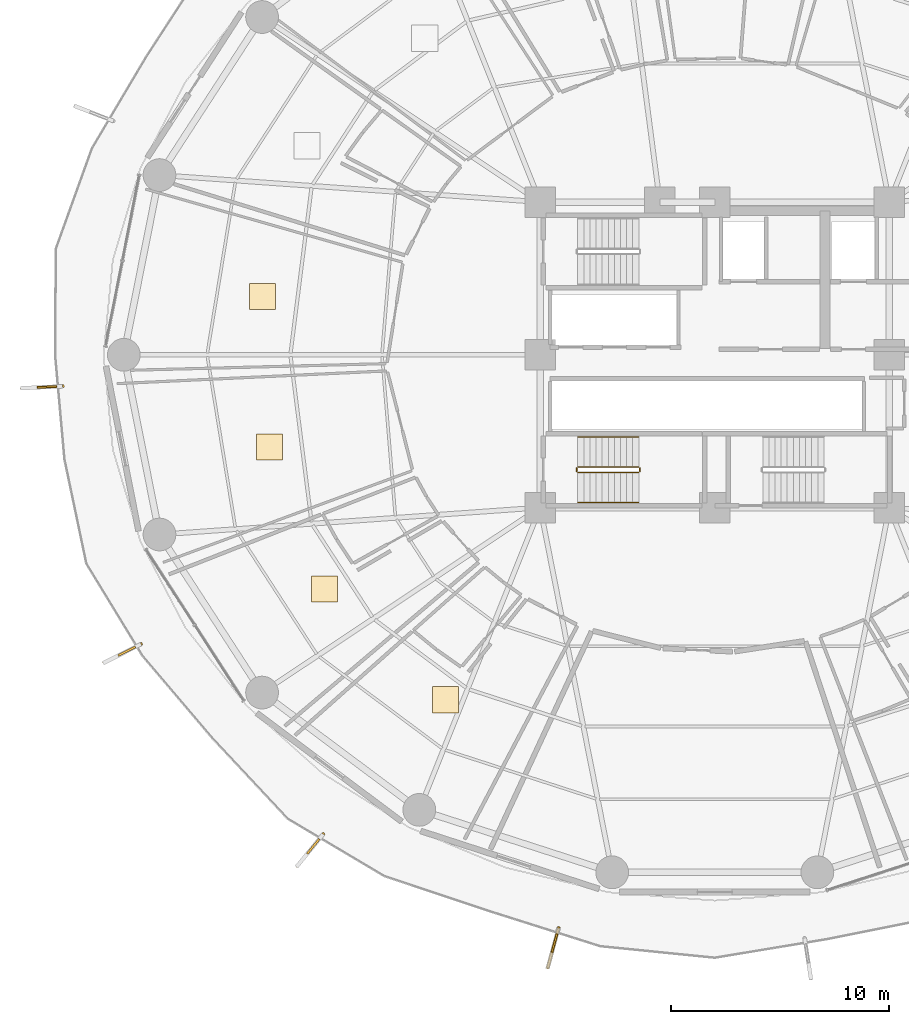
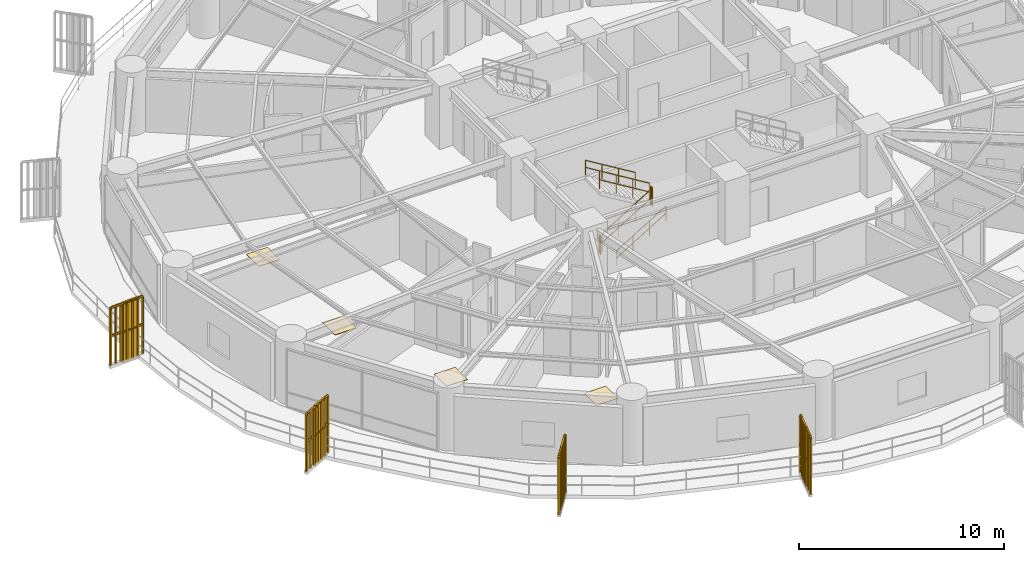
# One storey, part 29 of 33: 10 railings, 4 coverings, 4 shading devices.
"""IFC4 building model written with IfcOpenShell, lengths in metres."""

from ifc_helpers import new_model, si_unit, direction, frame, origin, origin_2d, place, context, subcontext, project, spatial, polyline, rectangle, outline, extrude, source, transform, mapped, material, layer, layer_set, type_object, element, save


model = new_model("IFC4")

# Units and contexts
model_context = context("Model", 3, precision=1e-05, world=origin(), true_north=direction((0.0, 1.0)))
body_context = subcontext(model_context, "Body", "Model", "MODEL_VIEW")
ifc_project = project(units=[si_unit("LENGTHUNIT", "METRE"), si_unit("AREAUNIT", "SQUARE_METRE"), si_unit("VOLUMEUNIT", "CUBIC_METRE"), si_unit("PLANEANGLEUNIT", "RADIAN"), si_unit("MASSUNIT", "GRAM", prefix="KILO")], contexts=[model_context])

# Site, building, storey
site_placement = place(None, origin())
site = spatial("IfcSite", under=ifc_project, at=site_placement, CompositionType="ELEMENT")
building_placement = place(site_placement, origin())
building = spatial("IfcBuilding", under=site, at=building_placement, Name="Kelanora Arch Commons", CompositionType="ELEMENT")
storey_placement = place(building_placement, frame((0.0, 0.0, 37.5)))
storey = spatial("IfcBuildingStorey", under=building, at=storey_placement, Name="L09", CompositionType="ELEMENT", Elevation=37.5)

# Railings
ifc_material_1 = material(Name="Anodised bronze vertical shading fin rib assembly")
railing_type_1 = type_object("IfcRailingType", Name="RAIL-FIN-BRZ", PredefinedType="BALUSTRADE", material=ifc_material_1)
railing_1_placement = place(storey_placement, frame((44.119873046875, 56.560546875, -0.02001953125)))
element("IfcRailing", 1, at=railing_1_placement, inside=storey, type_object=railing_type_1, Name="Sweeping Bronze Vertical Fin Blade L09-07", PredefinedType="BALUSTRADE", context=body_context, shape_type="SweptSolid", body=[
    extrude(outline(polyline([(0.06982421875, 0.0), (0.034912109375, 0.060546875), (-0.034912109375, 0.060546875), (-0.06982421875, 0.0), (-0.034912109375, -0.060546875), (0.034912109375, -0.060546875), (0.06982421875, 0.0)])), frame((0.0, 0.0, 3.419921875), z_axis=(-0.998844806382, -0.04805260413, 0.0), x_axis=(0.04805260413, -0.998844806382, 0.0)), (0.0, 0.0, 1.0), 1.8798828125),
    extrude(outline(polyline([(0.06982421875, 0.0), (0.034912109375, 0.060546875), (-0.034912109375, 0.060546875), (-0.06982421875, 0.0), (-0.034912109375, -0.060546875), (0.034912109375, -0.060546875), (0.06982421875, 0.0)])), frame((0.0, 0.0, 1.7451171875), z_axis=(-0.998844806382, -0.04805260413, 0.0), x_axis=(0.04805260413, -0.998844806382, 0.0)), (0.0, 0.0, 1.0), 1.8798828125),
    extrude(outline(polyline([(0.080078125, 0.0), (0.0400390625, 0.0693359375), (-0.0400390625, 0.0693359375), (-0.080078125, 0.0), (-0.0400390625, -0.0693359375), (0.0400390625, -0.0693359375), (0.080078125, 0.0)])), origin(), (0.0, 0.0, 1.0), 3.35009765625),
    extrude(outline(polyline([(0.080078125, 0.0), (0.0400390625, 0.0693359375), (-0.0400390625, 0.0693359375), (-0.080078125, 0.0), (-0.0400390625, -0.0693359375), (0.0400390625, -0.0693359375), (0.080078125, 0.0)])), frame((-0.31298828125, -0.01513671875, 0.0)), (0.0, 0.0, 1.0), 3.35009765625),
    extrude(outline(polyline([(0.080078125, 0.0), (0.0400390625, 0.0693359375), (-0.0400390625, 0.0693359375), (-0.080078125, 0.0), (-0.0400390625, -0.0693359375), (0.0400390625, -0.0693359375), (0.080078125, 0.0)])), frame((-0.6259765625, -0.030029296875, 0.0)), (0.0, 0.0, 1.0), 3.35009765625),
    extrude(outline(polyline([(0.080078125, 0.0), (0.0400390625, 0.0693359375), (-0.0400390625, 0.0693359375), (-0.080078125, 0.0), (-0.0400390625, -0.0693359375), (0.0400390625, -0.0693359375), (0.080078125, 0.0)])), frame((-0.93896484375, -0.045166015625, 0.0)), (0.0, 0.0, 1.0), 3.35009765625),
    extrude(outline(polyline([(0.080078125, 0.0), (0.0400390625, 0.0693359375), (-0.0400390625, 0.0693359375), (-0.080078125, 0.0), (-0.0400390625, -0.0693359375), (0.0400390625, -0.0693359375), (0.080078125, 0.0)])), frame((-1.251708984375, -0.060302734375, 0.0)), (0.0, 0.0, 1.0), 3.35009765625),
    extrude(outline(polyline([(0.080078125, 0.0), (0.0400390625, 0.0693359375), (-0.0400390625, 0.0693359375), (-0.080078125, 0.0), (-0.0400390625, -0.0693359375), (0.0400390625, -0.0693359375), (0.080078125, 0.0)])), frame((-1.564697265625, -0.0751953125, 0.0)), (0.0, 0.0, 1.0), 3.35009765625),
    extrude(outline(polyline([(0.080078125, 0.0), (0.0400390625, 0.0693359375), (-0.0400390625, 0.0693359375), (-0.080078125, 0.0), (-0.0400390625, -0.0693359375), (0.0400390625, -0.0693359375), (0.080078125, 0.0)])), frame((-1.877685546875, -0.09033203125, 0.0)), (0.0, 0.0, 1.0), 3.35009765625),
])
railing_2_placement = place(storey_placement, frame((47.705810546875, 44.7421875, -0.02001953125)))
element("IfcRailing", 2, at=railing_2_placement, inside=storey, type_object=railing_type_1, Name="Sweeping Bronze Vertical Fin Blade L09-08", PredefinedType="BALUSTRADE", context=body_context, shape_type="SweptSolid", body=[
    extrude(outline(polyline([(0.06982421875, 0.0), (0.034912109375, 0.060546875), (-0.034912109375, 0.060546875), (-0.06982421875, 0.0), (-0.034912109375, -0.060546875), (0.034912109375, -0.060546875), (0.06982421875, 0.0)])), frame((0.0, 0.0, 3.419921875), z_axis=(-0.892915743715, -0.450223805041, 0.0), x_axis=(0.450223805041, -0.892915743715, 0.0)), (0.0, 0.0, 1.0), 1.880126953125),
    extrude(outline(polyline([(0.06982421875, 0.0), (0.034912109375, 0.060546875), (-0.034912109375, 0.060546875), (-0.06982421875, 0.0), (-0.034912109375, -0.060546875), (0.034912109375, -0.060546875), (0.06982421875, 0.0)])), frame((0.0, 0.0, 1.7451171875), z_axis=(-0.892915743715, -0.450223805041, 0.0), x_axis=(0.450223805041, -0.892915743715, 0.0)), (0.0, 0.0, 1.0), 1.880126953125),
    extrude(outline(polyline([(0.080078125, 0.0), (0.0400390625, 0.0693359375), (-0.0400390625, 0.0693359375), (-0.080078125, 0.0), (-0.0400390625, -0.0693359375), (0.0400390625, -0.0693359375), (0.080078125, 0.0)])), origin(), (0.0, 0.0, 1.0), 3.35009765625),
    extrude(outline(polyline([(0.080078125, 0.0), (0.0400390625, 0.0693359375), (-0.0400390625, 0.0693359375), (-0.080078125, 0.0), (-0.0400390625, -0.0693359375), (0.0400390625, -0.0693359375), (0.080078125, 0.0)])), frame((-0.27978515625, -0.14111328125, 0.0)), (0.0, 0.0, 1.0), 3.35009765625),
    extrude(outline(polyline([(0.080078125, 0.0), (0.0400390625, 0.0693359375), (-0.0400390625, 0.0693359375), (-0.080078125, 0.0), (-0.0400390625, -0.0693359375), (0.0400390625, -0.0693359375), (0.080078125, 0.0)])), frame((-0.5595703125, -0.2822265625, 0.0)), (0.0, 0.0, 1.0), 3.35009765625),
    extrude(outline(polyline([(0.080078125, 0.0), (0.0400390625, 0.0693359375), (-0.0400390625, 0.0693359375), (-0.080078125, 0.0), (-0.0400390625, -0.0693359375), (0.0400390625, -0.0693359375), (0.080078125, 0.0)])), frame((-0.83935546875, -0.42333984375, 0.0)), (0.0, 0.0, 1.0), 3.35009765625),
    extrude(outline(polyline([(0.080078125, 0.0), (0.0400390625, 0.0693359375), (-0.0400390625, 0.0693359375), (-0.080078125, 0.0), (-0.0400390625, -0.0693359375), (0.0400390625, -0.0693359375), (0.080078125, 0.0)])), frame((-1.119140625, -0.564208984375, 0.0)), (0.0, 0.0, 1.0), 3.35009765625),
    extrude(outline(polyline([(0.080078125, 0.0), (0.0400390625, 0.0693359375), (-0.0400390625, 0.0693359375), (-0.080078125, 0.0), (-0.0400390625, -0.0693359375), (0.0400390625, -0.0693359375), (0.080078125, 0.0)])), frame((-1.39892578125, -0.705322265625, 0.0)), (0.0, 0.0, 1.0), 3.35009765625),
    extrude(outline(polyline([(0.080078125, 0.0), (0.0400390625, 0.0693359375), (-0.0400390625, 0.0693359375), (-0.080078125, 0.0), (-0.0400390625, -0.0693359375), (0.0400390625, -0.0693359375), (0.080078125, 0.0)])), frame((-1.6787109375, -0.846435546875, 0.0)), (0.0, 0.0, 1.0), 3.35009765625),
])
railing_3_placement = place(storey_placement, frame((56.057861328125, 36.03369140625, -0.02001953125)))
element("IfcRailing", 3, at=railing_3_placement, inside=storey, type_object=railing_type_1, Name="Sweeping Bronze Vertical Fin Blade L09-09", PredefinedType="BALUSTRADE", context=body_context, shape_type="SweptSolid", body=[
    extrude(outline(polyline([(0.06982421875, 0.0), (0.034912109375, 0.060546875), (-0.034912109375, 0.060546875), (-0.06982421875, 0.0), (-0.034912109375, -0.060546875), (0.034912109375, -0.060546875), (0.06982421875, 0.0)])), frame((0.0, 0.0, 3.419921875), z_axis=(-0.632643622902, -0.774443055622, 0.0), x_axis=(0.774443055622, -0.632643622902, 0.0)), (0.0, 0.0, 1.0), 1.880126953125),
    extrude(outline(polyline([(0.06982421875, 0.0), (0.034912109375, 0.060546875), (-0.034912109375, 0.060546875), (-0.06982421875, 0.0), (-0.034912109375, -0.060546875), (0.034912109375, -0.060546875), (0.06982421875, 0.0)])), frame((0.0, 0.0, 1.7451171875), z_axis=(-0.632643622902, -0.774443055622, 0.0), x_axis=(0.774443055622, -0.632643622902, 0.0)), (0.0, 0.0, 1.0), 1.880126953125),
    extrude(outline(polyline([(0.080078125, 0.0), (0.0400390625, 0.0693359375), (-0.0400390625, 0.0693359375), (-0.080078125, 0.0), (-0.0400390625, -0.0693359375), (0.0400390625, -0.0693359375), (0.080078125, 0.0)])), origin(), (0.0, 0.0, 1.0), 3.35009765625),
    extrude(outline(polyline([(0.080078125, 0.0), (0.0400390625, 0.0693359375), (-0.0400390625, 0.0693359375), (-0.080078125, 0.0), (-0.0400390625, -0.0693359375), (0.0400390625, -0.0693359375), (0.080078125, 0.0)])), frame((-0.1982421875, -0.24267578125, 0.0)), (0.0, 0.0, 1.0), 3.35009765625),
    extrude(outline(polyline([(0.080078125, 0.0), (0.0400390625, 0.0693359375), (-0.0400390625, 0.0693359375), (-0.080078125, 0.0), (-0.0400390625, -0.0693359375), (0.0400390625, -0.0693359375), (0.080078125, 0.0)])), frame((-0.396484375, -0.4853515625, 0.0)), (0.0, 0.0, 1.0), 3.35009765625),
    extrude(outline(polyline([(0.080078125, 0.0), (0.0400390625, 0.0693359375), (-0.0400390625, 0.0693359375), (-0.080078125, 0.0), (-0.0400390625, -0.0693359375), (0.0400390625, -0.0693359375), (0.080078125, 0.0)])), frame((-0.5947265625, -0.72802734375, 0.0)), (0.0, 0.0, 1.0), 3.35009765625),
    extrude(outline(polyline([(0.080078125, 0.0), (0.0400390625, 0.0693359375), (-0.0400390625, 0.0693359375), (-0.080078125, 0.0), (-0.0400390625, -0.0693359375), (0.0400390625, -0.0693359375), (0.080078125, 0.0)])), frame((-0.79296875, -0.970703125, 0.0)), (0.0, 0.0, 1.0), 3.35009765625),
    extrude(outline(polyline([(0.080078125, 0.0), (0.0400390625, 0.0693359375), (-0.0400390625, 0.0693359375), (-0.080078125, 0.0), (-0.0400390625, -0.0693359375), (0.0400390625, -0.0693359375), (0.080078125, 0.0)])), frame((-0.9912109375, -1.21337890625, 0.0)), (0.0, 0.0, 1.0), 3.35009765625),
    extrude(outline(polyline([(0.080078125, 0.0), (0.0400390625, 0.0693359375), (-0.0400390625, 0.0693359375), (-0.080078125, 0.0), (-0.0400390625, -0.0693359375), (0.0400390625, -0.0693359375), (0.080078125, 0.0)])), frame((-1.189453125, -1.4560546875, 0.0)), (0.0, 0.0, 1.0), 3.35009765625),
])
railing_4_placement = place(storey_placement, frame((66.84423828125, 31.73828125, -0.02001953125)))
element("IfcRailing", 4, at=railing_4_placement, inside=storey, type_object=railing_type_1, Name="Sweeping Bronze Vertical Fin Blade L09-10", PredefinedType="BALUSTRADE", context=body_context, shape_type="SweptSolid", body=[
    extrude(outline(polyline([(0.06982421875, 0.0), (0.034912109375, 0.060546875), (-0.034912109375, 0.060546875), (-0.06982421875, 0.0), (-0.034912109375, -0.060546875), (0.034912109375, -0.060546875), (0.06982421875, 0.0)])), frame((0.0, 0.0, 3.419921875), z_axis=(-0.262952588365, -0.96480875632, 0.0), x_axis=(0.96480875632, -0.262952588365, 0.0)), (0.0, 0.0, 1.0), 1.880126953125),
    extrude(outline(polyline([(0.06982421875, 0.0), (0.034912109375, 0.060546875), (-0.034912109375, 0.060546875), (-0.06982421875, 0.0), (-0.034912109375, -0.060546875), (0.034912109375, -0.060546875), (0.06982421875, 0.0)])), frame((0.0, 0.0, 1.7451171875), z_axis=(-0.262952588365, -0.96480875632, 0.0), x_axis=(0.96480875632, -0.262952588365, 0.0)), (0.0, 0.0, 1.0), 1.880126953125),
    extrude(outline(polyline([(0.080078125, 0.0), (0.0400390625, 0.0693359375), (-0.0400390625, 0.0693359375), (-0.080078125, 0.0), (-0.0400390625, -0.0693359375), (0.0400390625, -0.0693359375), (0.080078125, 0.0)])), origin(), (0.0, 0.0, 1.0), 3.35009765625),
    extrude(outline(polyline([(0.080078125, 0.0), (0.0400390625, 0.0693359375), (-0.0400390625, 0.0693359375), (-0.080078125, 0.0), (-0.0400390625, -0.0693359375), (0.0400390625, -0.0693359375), (0.080078125, 0.0)])), frame((-0.08251953125, -0.30224609375, 0.0)), (0.0, 0.0, 1.0), 3.35009765625),
    extrude(outline(polyline([(0.080078125, 0.0), (0.0400390625, 0.0693359375), (-0.0400390625, 0.0693359375), (-0.080078125, 0.0), (-0.0400390625, -0.0693359375), (0.0400390625, -0.0693359375), (0.080078125, 0.0)])), frame((-0.164794921875, -0.604736328125, 0.0)), (0.0, 0.0, 1.0), 3.35009765625),
    extrude(outline(polyline([(0.080078125, 0.0), (0.0400390625, 0.0693359375), (-0.0400390625, 0.0693359375), (-0.080078125, 0.0), (-0.0400390625, -0.0693359375), (0.0400390625, -0.0693359375), (0.080078125, 0.0)])), frame((-0.2470703125, -0.906982421875, 0.0)), (0.0, 0.0, 1.0), 3.35009765625),
    extrude(outline(polyline([(0.080078125, 0.0), (0.0400390625, 0.0693359375), (-0.0400390625, 0.0693359375), (-0.080078125, 0.0), (-0.0400390625, -0.0693359375), (0.0400390625, -0.0693359375), (0.080078125, 0.0)])), frame((-0.32958984375, -1.209228515625, 0.0)), (0.0, 0.0, 1.0), 3.35009765625),
    extrude(outline(polyline([(0.080078125, 0.0), (0.0400390625, 0.0693359375), (-0.0400390625, 0.0693359375), (-0.080078125, 0.0), (-0.0400390625, -0.0693359375), (0.0400390625, -0.0693359375), (0.080078125, 0.0)])), frame((-0.412109375, -1.51171875, 0.0)), (0.0, 0.0, 1.0), 3.35009765625),
    extrude(outline(polyline([(0.080078125, 0.0), (0.0400390625, 0.0693359375), (-0.0400390625, 0.0693359375), (-0.080078125, 0.0), (-0.0400390625, -0.0693359375), (0.0400390625, -0.0693359375), (0.080078125, 0.0)])), frame((-0.494384765625, -1.81396484375, 0.0)), (0.0, 0.0, 1.0), 3.35009765625),
])
ifc_material_2 = material(Name="Painted steel stair well guard", Category="steel")
railing_type_2 = type_object("IfcRailingType", Name="RAIL-STAIR-GRD", PredefinedType="GUARDRAIL", material=ifc_material_2)
railing_5_placement = place(storey_placement, frame((67.719970703125, 52.610107421875, 0.17041015625)))
element("IfcRailing", 5, at=railing_5_placement, inside=storey, type_object=railing_type_2, Name="L09 ST-T3 stair guard 1", PredefinedType="GUARDRAIL", context=body_context, shape_type="SweptSolid", body=[
    extrude(outline(polyline([(0.02392578125, 0.0), (0.011962890625, 0.020751953125), (-0.011962890625, 0.020751953125), (-0.02392578125, 0.0), (-0.011962890625, -0.020751953125), (0.011962890625, -0.020751953125), (0.02392578125, 0.0)])), frame((0.0, 0.0, 1.076171875), z_axis=(0.854169791009, 0.0, 0.51999420009), x_axis=(0.0, 1.0, 0.0)), (0.0, 0.0, 1.0), 3.278076171875),
    extrude(outline(polyline([(0.02392578125, 0.0), (0.011962890625, 0.020751953125), (-0.011962890625, 0.020751953125), (-0.02392578125, 0.0), (-0.011962890625, -0.020751953125), (0.011962890625, -0.020751953125), (0.02392578125, 0.0)])), frame((0.0, 0.0, 0.550048828125), z_axis=(0.854169791009, 0.0, 0.51999420009), x_axis=(0.0, 1.0, 0.0)), (0.0, 0.0, 1.0), 3.278076171875),
    extrude(outline(polyline([(0.02099609375, 0.0), (0.010498046875, 0.01806640625), (-0.010498046875, 0.01806640625), (-0.02099609375, 0.0), (-0.010498046875, -0.01806640625), (0.010498046875, -0.01806640625), (0.02099609375, 0.0)])), origin(), (0.0, 0.0, 1.0), 1.052001953125),
    extrude(outline(polyline([(0.02099609375, 0.0), (0.010498046875, 0.01806640625), (-0.010498046875, 0.01806640625), (-0.02099609375, 0.0), (-0.010498046875, -0.01806640625), (0.010498046875, -0.01806640625), (0.02099609375, 0.0)])), frame((0.933349609375, 0.0, 0.568115234375)), (0.0, 0.0, 1.0), 1.052001953125),
    extrude(outline(polyline([(0.02099609375, 0.0), (0.010498046875, 0.01806640625), (-0.010498046875, 0.01806640625), (-0.02099609375, 0.0), (-0.010498046875, -0.01806640625), (0.010498046875, -0.01806640625), (0.02099609375, 0.0)])), frame((1.86669921875, 0.0, 1.136474609375)), (0.0, 0.0, 1.0), 1.052001953125),
    extrude(outline(polyline([(0.02099609375, 0.0), (0.010498046875, 0.01806640625), (-0.010498046875, 0.01806640625), (-0.02099609375, 0.0), (-0.010498046875, -0.01806640625), (0.010498046875, -0.01806640625), (0.02099609375, 0.0)])), frame((2.800048828125, 0.0, 1.70458984375)), (0.0, 0.0, 1.0), 1.052001953125),
])
railing_6_placement = place(storey_placement, frame((70.570068359375, 52.659912109375, 1.875)))
element("IfcRailing", 6, at=railing_6_placement, inside=storey, type_object=railing_type_2, Name="L09 ST-T3 stair guard 2", PredefinedType="GUARDRAIL", context=body_context, shape_type="SweptSolid", body=[
    extrude(outline(polyline([(0.02392578125, 0.0), (0.011962890625, 0.020751953125), (-0.011962890625, 0.020751953125), (-0.02392578125, 0.0), (-0.011962890625, -0.020751953125), (0.011962890625, -0.020751953125), (0.02392578125, 0.0)])), frame((0.0, 0.0, 1.076171875), z_axis=(0.0, 1.0, 0.0), x_axis=(-1.0, 0.0, 0.0)), (0.0, 0.0, 1.0), 0.150146484375),
    extrude(outline(polyline([(0.02392578125, 0.0), (0.011962890625, 0.020751953125), (-0.011962890625, 0.020751953125), (-0.02392578125, 0.0), (-0.011962890625, -0.020751953125), (0.011962890625, -0.020751953125), (0.02392578125, 0.0)])), frame((0.0, 0.0, 0.550048828125), z_axis=(0.0, 1.0, 0.0), x_axis=(-1.0, 0.0, 0.0)), (0.0, 0.0, 1.0), 0.150146484375),
    extrude(outline(polyline([(0.02099609375, 0.0), (0.010498046875, 0.01806640625), (-0.010498046875, 0.01806640625), (-0.02099609375, 0.0), (-0.010498046875, -0.01806640625), (0.010498046875, -0.01806640625), (0.02099609375, 0.0)])), origin(), (0.0, 0.0, 1.0), 1.052001953125),
    extrude(outline(polyline([(0.02099609375, 0.0), (0.010498046875, 0.01806640625), (-0.010498046875, 0.01806640625), (-0.02099609375, 0.0), (-0.010498046875, -0.01806640625), (0.010498046875, -0.01806640625), (0.02099609375, 0.0)])), frame((0.0, 0.150146484375, 0.0)), (0.0, 0.0, 1.0), 1.052001953125),
])
railing_7_placement = place(storey_placement, frame((70.52001953125, 52.860107421875, 2.04541015625)))
element("IfcRailing", 7, at=railing_7_placement, inside=storey, type_object=railing_type_2, Name="L09 ST-T3 stair guard 3", PredefinedType="GUARDRAIL", context=body_context, shape_type="SweptSolid", body=[
    extrude(outline(polyline([(0.02392578125, 0.0), (0.011962890625, 0.020751953125), (-0.011962890625, 0.020751953125), (-0.02392578125, 0.0), (-0.011962890625, -0.020751953125), (0.011962890625, -0.020751953125), (0.02392578125, 0.0)])), frame((0.0, 0.0, 1.076171875), z_axis=(-0.854169791009, 0.0, 0.51999420009), x_axis=(0.0, -1.0, 0.0)), (0.0, 0.0, 1.0), 3.278076171875),
    extrude(outline(polyline([(0.02392578125, 0.0), (0.011962890625, 0.020751953125), (-0.011962890625, 0.020751953125), (-0.02392578125, 0.0), (-0.011962890625, -0.020751953125), (0.011962890625, -0.020751953125), (0.02392578125, 0.0)])), frame((0.0, 0.0, 0.550048828125), z_axis=(-0.854169791009, 0.0, 0.51999420009), x_axis=(0.0, -1.0, 0.0)), (0.0, 0.0, 1.0), 3.278076171875),
    extrude(outline(polyline([(0.02099609375, 0.0), (0.010498046875, 0.01806640625), (-0.010498046875, 0.01806640625), (-0.02099609375, 0.0), (-0.010498046875, -0.01806640625), (0.010498046875, -0.01806640625), (0.02099609375, 0.0)])), origin(), (0.0, 0.0, 1.0), 1.052001953125),
    extrude(outline(polyline([(0.02099609375, 0.0), (0.010498046875, 0.01806640625), (-0.010498046875, 0.01806640625), (-0.02099609375, 0.0), (-0.010498046875, -0.01806640625), (0.010498046875, -0.01806640625), (0.02099609375, 0.0)])), frame((-0.933349609375, 0.0, 0.568115234375)), (0.0, 0.0, 1.0), 1.052001953125),
    extrude(outline(polyline([(0.02099609375, 0.0), (0.010498046875, 0.01806640625), (-0.010498046875, 0.01806640625), (-0.02099609375, 0.0), (-0.010498046875, -0.01806640625), (0.010498046875, -0.01806640625), (0.02099609375, 0.0)])), frame((-1.86669921875, 0.0, 1.136474609375)), (0.0, 0.0, 1.0), 1.052001953125),
    extrude(outline(polyline([(0.02099609375, 0.0), (0.010498046875, 0.01806640625), (-0.010498046875, 0.01806640625), (-0.02099609375, 0.0), (-0.010498046875, -0.01806640625), (0.010498046875, -0.01806640625), (0.02099609375, 0.0)])), frame((-2.800048828125, 0.0, 1.70458984375)), (0.0, 0.0, 1.0), 1.052001953125),
])
railing_8_placement = place(storey_placement, frame((67.669921875, 52.659912109375, 0.0)))
element("IfcRailing", 8, at=railing_8_placement, inside=storey, type_object=railing_type_2, Name="L09 ST-T3 stair guard 4", PredefinedType="GUARDRAIL", context=body_context, shape_type="SweptSolid", body=[
    extrude(outline(polyline([(0.02392578125, 0.0), (0.011962890625, 0.020751953125), (-0.011962890625, 0.020751953125), (-0.02392578125, 0.0), (-0.011962890625, -0.020751953125), (0.011962890625, -0.020751953125), (0.02392578125, 0.0)])), frame((0.0, 0.0, 1.076171875), z_axis=(0.0, 1.0, 0.0), x_axis=(-1.0, 0.0, 0.0)), (0.0, 0.0, 1.0), 0.150146484375),
    extrude(outline(polyline([(0.02392578125, 0.0), (0.011962890625, 0.020751953125), (-0.011962890625, 0.020751953125), (-0.02392578125, 0.0), (-0.011962890625, -0.020751953125), (0.011962890625, -0.020751953125), (0.02392578125, 0.0)])), frame((0.0, 0.0, 0.550048828125), z_axis=(0.0, 1.0, 0.0), x_axis=(-1.0, 0.0, 0.0)), (0.0, 0.0, 1.0), 0.150146484375),
    extrude(outline(polyline([(0.02099609375, 0.0), (0.010498046875, 0.01806640625), (-0.010498046875, 0.01806640625), (-0.02099609375, 0.0), (-0.010498046875, -0.01806640625), (0.010498046875, -0.01806640625), (0.02099609375, 0.0)])), origin(), (0.0, 0.0, 1.0), 1.052001953125),
    extrude(outline(polyline([(0.02099609375, 0.0), (0.010498046875, 0.01806640625), (-0.010498046875, 0.01806640625), (-0.02099609375, 0.0), (-0.010498046875, -0.01806640625), (0.010498046875, -0.01806640625), (0.02099609375, 0.0)])), frame((0.0, 0.150146484375, 0.0)), (0.0, 0.0, 1.0), 1.052001953125),
])
ifc_material_3 = material(Name="Brushed stainless steel stair handrail", Category="steel")
railing_type_3 = type_object("IfcRailingType", Name="RAIL-STAIR-HND", PredefinedType="HANDRAIL", material=ifc_material_3)
railing_9_placement = place(storey_placement, frame((67.719970703125, 51.22998046875, 0.17041015625)))
element("IfcRailing", 9, at=railing_9_placement, inside=storey, type_object=railing_type_3, Name="L09 ST-T3 stair handrail 1", PredefinedType="HANDRAIL", context=body_context, shape_type="SweptSolid", body=[
    extrude(outline(polyline([(0.02392578125, 0.0), (0.011962890625, 0.020751953125), (-0.011962890625, 0.020751953125), (-0.02392578125, 0.0), (-0.011962890625, -0.020751953125), (0.011962890625, -0.020751953125), (0.02392578125, 0.0)])), frame((0.0, 0.0, 0.8759765625), z_axis=(0.854169791009, 0.0, 0.51999420009), x_axis=(0.0, 1.0, 0.0)), (0.0, 0.0, 1.0), 3.278076171875),
    extrude(outline(polyline([(0.02392578125, 0.0), (0.011962890625, 0.020751953125), (-0.011962890625, 0.020751953125), (-0.02392578125, 0.0), (-0.011962890625, -0.020751953125), (0.011962890625, -0.020751953125), (0.02392578125, 0.0)])), frame((0.0, 0.0, 0.449951171875), z_axis=(0.854169791009, 0.0, 0.51999420009), x_axis=(0.0, 1.0, 0.0)), (0.0, 0.0, 1.0), 3.278076171875),
    extrude(outline(polyline([(0.02099609375, 0.0), (0.010498046875, 0.01806640625), (-0.010498046875, 0.01806640625), (-0.02099609375, 0.0), (-0.010498046875, -0.01806640625), (0.010498046875, -0.01806640625), (0.02099609375, 0.0)])), origin(), (0.0, 0.0, 1.0), 0.851806640625),
    extrude(outline(polyline([(0.02099609375, 0.0), (0.010498046875, 0.01806640625), (-0.010498046875, 0.01806640625), (-0.02099609375, 0.0), (-0.010498046875, -0.01806640625), (0.010498046875, -0.01806640625), (0.02099609375, 0.0)])), frame((0.933349609375, 0.0, 0.568115234375)), (0.0, 0.0, 1.0), 0.851806640625),
    extrude(outline(polyline([(0.02099609375, 0.0), (0.010498046875, 0.01806640625), (-0.010498046875, 0.01806640625), (-0.02099609375, 0.0), (-0.010498046875, -0.01806640625), (0.010498046875, -0.01806640625), (0.02099609375, 0.0)])), frame((1.86669921875, 0.0, 1.136474609375)), (0.0, 0.0, 1.0), 0.851806640625),
    extrude(outline(polyline([(0.02099609375, 0.0), (0.010498046875, 0.01806640625), (-0.010498046875, 0.01806640625), (-0.02099609375, 0.0), (-0.010498046875, -0.01806640625), (0.010498046875, -0.01806640625), (0.02099609375, 0.0)])), frame((2.800048828125, 0.0, 1.70458984375)), (0.0, 0.0, 1.0), 0.851806640625),
])
railing_10_placement = place(storey_placement, frame((70.52001953125, 54.239990234375, 2.04541015625)))
element("IfcRailing", 10, at=railing_10_placement, inside=storey, type_object=railing_type_3, Name="L09 ST-T3 stair handrail 2", PredefinedType="HANDRAIL", context=body_context, shape_type="SweptSolid", body=[
    extrude(outline(polyline([(0.02392578125, 0.0), (0.011962890625, 0.020751953125), (-0.011962890625, 0.020751953125), (-0.02392578125, 0.0), (-0.011962890625, -0.020751953125), (0.011962890625, -0.020751953125), (0.02392578125, 0.0)])), frame((0.0, 0.0, 0.8759765625), z_axis=(-0.854169791009, 0.0, 0.51999420009), x_axis=(0.0, -1.0, 0.0)), (0.0, 0.0, 1.0), 3.278076171875),
    extrude(outline(polyline([(0.02392578125, 0.0), (0.011962890625, 0.020751953125), (-0.011962890625, 0.020751953125), (-0.02392578125, 0.0), (-0.011962890625, -0.020751953125), (0.011962890625, -0.020751953125), (0.02392578125, 0.0)])), frame((0.0, 0.0, 0.449951171875), z_axis=(-0.854169791009, 0.0, 0.51999420009), x_axis=(0.0, -1.0, 0.0)), (0.0, 0.0, 1.0), 3.278076171875),
    extrude(outline(polyline([(0.02099609375, 0.0), (0.010498046875, 0.01806640625), (-0.010498046875, 0.01806640625), (-0.02099609375, 0.0), (-0.010498046875, -0.01806640625), (0.010498046875, -0.01806640625), (0.02099609375, 0.0)])), origin(), (0.0, 0.0, 1.0), 0.851806640625),
    extrude(outline(polyline([(0.02099609375, 0.0), (0.010498046875, 0.01806640625), (-0.010498046875, 0.01806640625), (-0.02099609375, 0.0), (-0.010498046875, -0.01806640625), (0.010498046875, -0.01806640625), (0.02099609375, 0.0)])), frame((-0.933349609375, 0.0, 0.568115234375)), (0.0, 0.0, 1.0), 0.851806640625),
    extrude(outline(polyline([(0.02099609375, 0.0), (0.010498046875, 0.01806640625), (-0.010498046875, 0.01806640625), (-0.02099609375, 0.0), (-0.010498046875, -0.01806640625), (0.010498046875, -0.01806640625), (0.02099609375, 0.0)])), frame((-1.86669921875, 0.0, 1.136474609375)), (0.0, 0.0, 1.0), 0.851806640625),
    extrude(outline(polyline([(0.02099609375, 0.0), (0.010498046875, 0.01806640625), (-0.010498046875, 0.01806640625), (-0.02099609375, 0.0), (-0.010498046875, -0.01806640625), (0.010498046875, -0.01806640625), (0.02099609375, 0.0)])), frame((-2.800048828125, 0.0, 1.70458984375)), (0.0, 0.0, 1.0), 0.851806640625),
])

# Shading devices
ifc_material_4 = material(Name="Terracotta ceramic-clad extruded aluminium fin", Category="masonry")
shading_device_type = type_object("IfcShadingDeviceType", Name="SHD-FIN-FLARE", PredefinedType="USERDEFINED", material=ifc_material_4)
shared_shape_1 = source(origin(), body_context, "Body", "SweptSolid", [
    extrude(rectangle(XDim=0.8798828125, YDim=0.090087890625, at=origin_2d()), origin(), (0.0, 0.0, 1.0), 3.610107421875),
])
for number, where, z_axis, x_axis, name in (
    (11, (43.400634765625, 56.52587890625, -0.14013671875), (0.0, 0.0, 1.0), (-0.998839997509, -0.04815245972, 0.0), "Sweeping Terracotta Fin L09-07"),
    (12, (47.06298828125, 44.41796875, -0.14013671875), (0.0, 0.0, 1.0), (-0.892900372813, -0.450254288408, 0.0), "Sweeping Terracotta Fin L09-08"),
    (13, (55.602294921875, 35.47607421875, -0.14013671875), (0.0, 0.0, 1.0), (-0.632570161913, -0.774503060199, 0.0), "Sweeping Terracotta Fin L09-09"),
    (14, (66.65478515625, 31.043701171875, -0.14013671875), (0.0, 0.0, 1.0), (-0.262862823299, -0.964833216741, 0.0), "Sweeping Terracotta Fin L09-10"),
):
    element("IfcShadingDevice", number, at=place(storey_placement, frame(where, z_axis=z_axis, x_axis=x_axis)), inside=storey, type_object=shading_device_type, Name=name, ObjectType="FIN", PredefinedType="USERDEFINED", context=body_context, shape_type="MappedRepresentation", body=[
        mapped(shared_shape_1, transform((0.0, 0.0, 0.0), scale=1.0)),
    ])

# Coverings
ifc_material_5 = material(Name="Polished local granite terrazzo flooring", Category="masonry")
ifc_layer = layer(ifc_material_5, 0.030029296875)
ifc_layer_set = layer_set([ifc_layer], Name="Polished local granite terrazzo flooring")
covering_type = type_object("IfcCoveringType", Name="COV-FLR-TER", PredefinedType="FLOORING", material=ifc_layer_set)
shared_shape_2 = source(origin(), body_context, "Body", "SweptSolid", [
    extrude(rectangle(XDim=1.199951171875, YDim=1.199951171875, at=origin_2d()), origin(), (0.0, 0.0, 1.0), 0.030029296875),
])
for number, where, z_axis, x_axis, name in (
    (15, (53.27587890625, 60.677490234375, 0.0), (0.0, 0.0, 1.0), (1.0, 0.0, 0.0), "Quiet Seminar Study Room L09-12 Terrazzo Finish"),
    (16, (53.598388671875, 53.777099609375, 0.0), (0.0, 0.0, 1.0), (1.0, 0.0, 0.0), "Quiet Seminar Study Room L09-13 Terrazzo Finish"),
    (17, (56.1142578125, 47.2646484375, 0.0), (0.0, 0.0, 1.0), (1.0, 0.0, 0.0), "Co-Living Studio L09-14 Terrazzo Finish"),
    (18, (61.656494140625, 42.197021484375, 0.0), (0.0, 0.0, 1.0), (1.0, 0.0, 0.0), "Co-Living Studio L09-15 Terrazzo Finish"),
):
    element("IfcCovering", number, at=place(storey_placement, frame(where, z_axis=z_axis, x_axis=x_axis)), inside=storey, type_object=covering_type, Name=name, PredefinedType="FLOORING", context=body_context, shape_type="MappedRepresentation", body=[
        mapped(shared_shape_2, transform((0.0, 0.0, 0.0), scale=1.0)),
    ])

save(model, "model.ifc")
